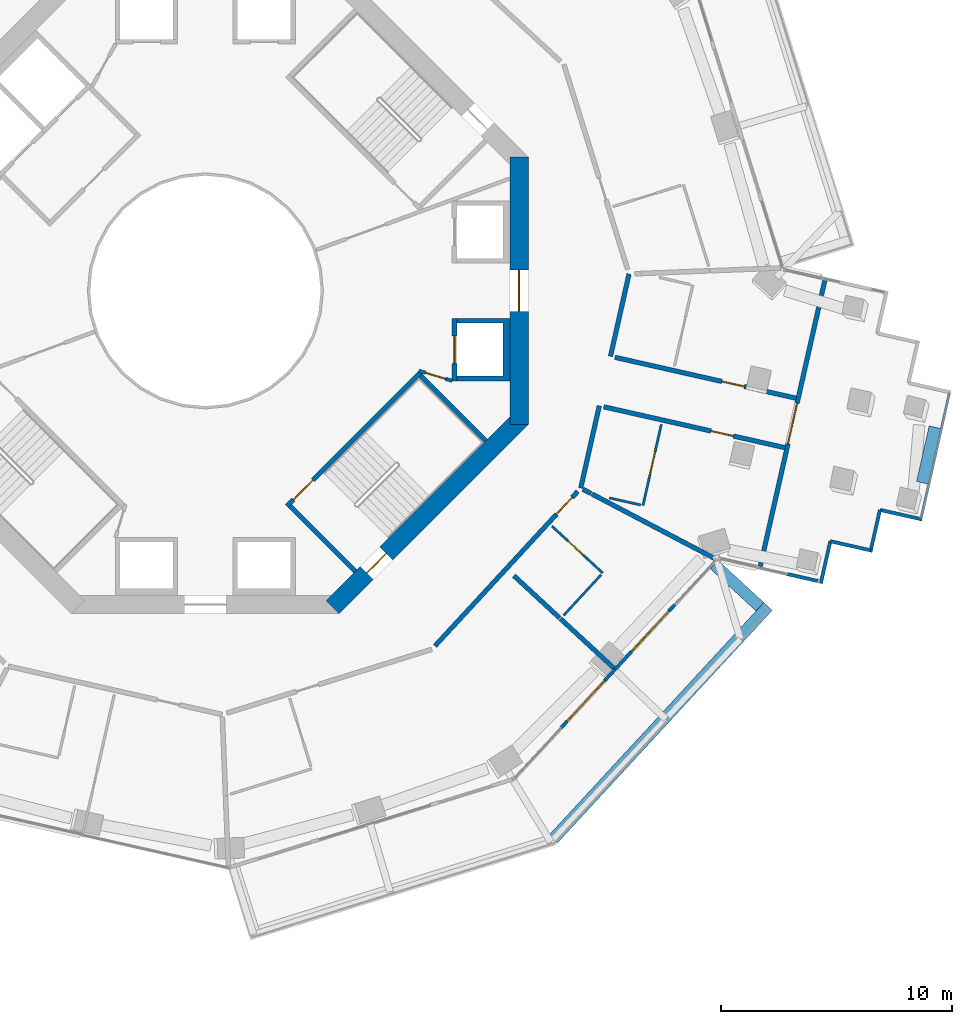
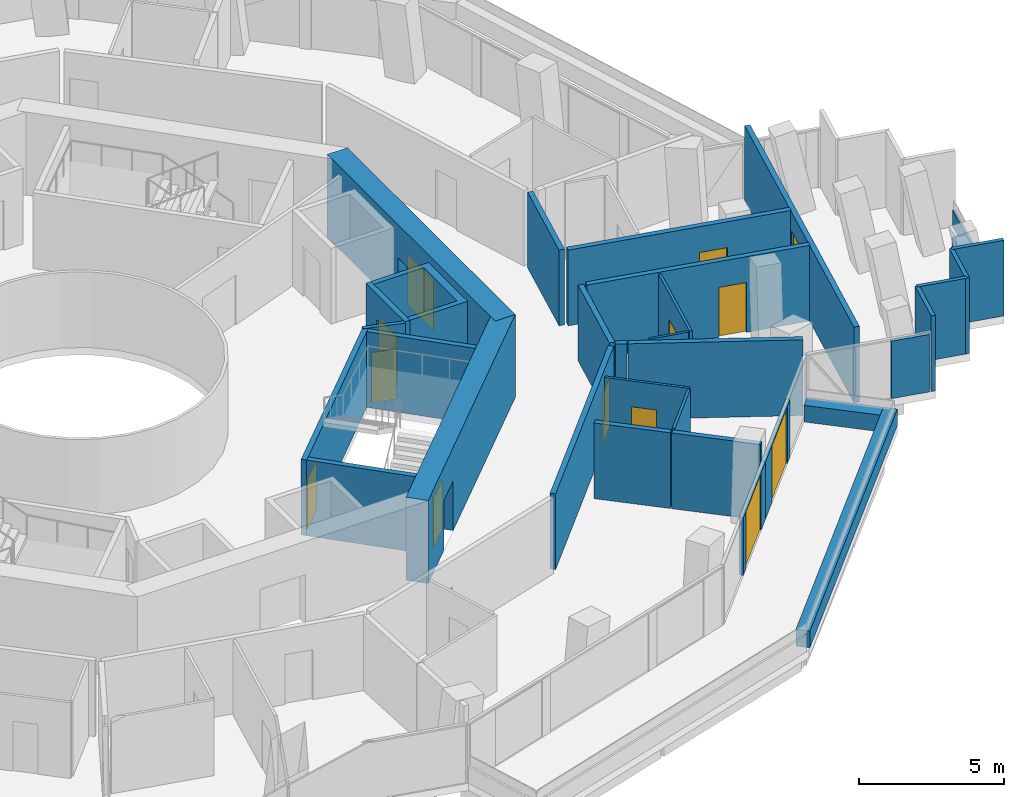
# One storey, part 19 of 25: 33 walls, 13 doors, 13 openings.
"""IFC4 building model written with IfcOpenShell, lengths in metres."""

import ifcopenshell
import ifcopenshell.guid

model = None  # the IFC model being written
_history = None  # IfcOwnerHistory: only IFC2X3 demands one
_inside = {}  # id of a spatial element -> (the spatial element, [elements in it])
_under = {}  # id of a project, library or spatial element -> (it, [spatial elements below it])
_declared = {}  # id of a project -> (the project, [libraries it declares])
_typed = {}  # id of a type object -> (the type object, [elements of that type])
_made_of = {}  # id of a material, layer set ... -> (it, [elements and type objects made of it])


def new_model(schema):
    """Start an empty IFC model of exactly this schema.

    Asked for "IFC4X3", IfcOpenShell would pick the latest addendum, in which some entities
    have other attributes; the version numbers below select the first issue.
    IFC2X3 requires an IfcOwnerHistory on every rooted entity: one is made here for all.
    """
    global model, _history
    if schema == "IFC4X3":
        model = ifcopenshell.file(schema_version=(4, 3, 0, 0))
    else:
        model = ifcopenshell.file(schema=schema)
    _inside.clear()
    _under.clear()
    _declared.clear()
    _typed.clear()
    _made_of.clear()
    _history = None
    if model.schema == "IFC2X3":
        org = make("IfcOrganization", Name="unknown")
        user = make(
            "IfcPersonAndOrganization",
            ThePerson=make("IfcPerson", FamilyName="unknown"),
            TheOrganization=org,
        )
        app = make(
            "IfcApplication",
            ApplicationDeveloper=org,
            Version="unknown",
            ApplicationFullName="unknown",
            ApplicationIdentifier="unknown",
        )
        _history = make(
            "IfcOwnerHistory",
            OwningUser=user,
            OwningApplication=app,
            ChangeAction="ADDED",
            CreationDate=0,
        )
    return model


def make(cls, **values):
    """One entity of the class cls with the attributes given. An attribute that is None is left unset."""
    return model.create_entity(
        cls, **{name: value for name, value in values.items() if value is not None}
    )


def rooted(cls, **values):
    """An entity with a GlobalId (a new one), such as an element, a storey or a relation."""
    return make(cls, GlobalId=ifcopenshell.guid.new(), OwnerHistory=_history, **values)


def si_unit(unit_type, name, prefix=None):
    """IfcSIUnit, for example si_unit("LENGTHUNIT", "METRE", prefix="MILLI")."""
    return make("IfcSIUnit", UnitType=unit_type, Prefix=prefix, Name=name)


def assignment(units):
    """IfcUnitAssignment: the units of a project."""
    return None if units is None else make("IfcUnitAssignment", Units=units)


def point(xyz):
    """IfcCartesianPoint."""
    return None if xyz is None else make("IfcCartesianPoint", Coordinates=xyz)


def direction(xyz):
    """IfcDirection."""
    return None if xyz is None else make("IfcDirection", DirectionRatios=xyz)


def frame(location, z_axis=None, x_axis=None):
    """IfcAxis2Placement3D, a coordinate frame: its origin and axes. An axis left out is left unset."""
    return make(
        "IfcAxis2Placement3D",
        Location=point(location),
        Axis=direction(z_axis),
        RefDirection=direction(x_axis),
    )


def frame_2d(location, x_axis=None):
    """IfcAxis2Placement2D, a coordinate frame in the plane: its origin and x axis."""
    return make(
        "IfcAxis2Placement2D", Location=point(location), RefDirection=direction(x_axis)
    )


def origin():
    """The frame at (0, 0, 0) with its axes left unset."""
    return frame((0.0, 0.0, 0.0))


def place(relative_to, where):
    """IfcLocalPlacement: puts the frame where relative to a parent placement (None: the world)."""
    return make(
        "IfcLocalPlacement", PlacementRelTo=relative_to, RelativePlacement=where
    )


def context(
    kind, dimensions, precision=None, world=None, true_north=None, identifier=None
):
    """IfcGeometricRepresentationContext, for example the 3D "Model" context."""
    return make(
        "IfcGeometricRepresentationContext",
        ContextIdentifier=identifier,
        ContextType=kind,
        CoordinateSpaceDimension=dimensions,
        Precision=precision,
        WorldCoordinateSystem=world,
        TrueNorth=true_north,
    )


def subcontext(parent, identifier, kind, view, scale=None):
    """IfcGeometricRepresentationSubContext, for example "Body" below "Model"."""
    return make(
        "IfcGeometricRepresentationSubContext",
        ContextIdentifier=identifier,
        ContextType=kind,
        ParentContext=parent,
        TargetScale=scale,
        TargetView=view,
    )


def project(units=None, contexts=None):
    """IfcProject with its units and contexts."""
    return rooted(
        "IfcProject",
        Name="project",
        RepresentationContexts=contexts,
        UnitsInContext=assignment(units),
    )


def spatial(cls, under=None, at=None, **own):
    """A site, building, storey or space (cls), placed at a placement, below another one or the project."""
    s = rooted(cls, ObjectPlacement=at, **own)
    if under is not None:
        _under.setdefault(under.id(), (under, []))[1].append(s)
    return s


def polyline(points):
    """IfcPolyline through the points."""
    return make("IfcPolyline", Points=[point(p) for p in points])


def profile(cls, at=None, kind="AREA", **sizes):
    """A parametric profile (cls). Its sizes go by their IFC names, for example OverallWidth=200.0."""
    return make(cls, ProfileType=kind, Position=at, **sizes)


def rectangle(**sizes):
    """IfcRectangleProfileDef."""
    return profile("IfcRectangleProfileDef", **sizes)


def outline(outer, holes=None, kind="AREA"):
    """IfcArbitraryClosedProfileDef: a profile drawn as a closed curve; with holes, ...WithVoids."""
    if holes is None:
        return make("IfcArbitraryClosedProfileDef", ProfileType=kind, OuterCurve=outer)
    return make(
        "IfcArbitraryProfileDefWithVoids",
        ProfileType=kind,
        OuterCurve=outer,
        InnerCurves=holes,
    )


def extrude(swept, where, along, depth):
    """IfcExtrudedAreaSolid: the profile swept, set in the frame where, extruded along a direction by depth."""
    return make(
        "IfcExtrudedAreaSolid",
        SweptArea=swept,
        Position=where,
        ExtrudedDirection=direction(along),
        Depth=depth,
    )


def shape(context_of_items, identifier, shape_type, items):
    """IfcShapeRepresentation: the items that make up one representation, for example the "Body"."""
    return make(
        "IfcShapeRepresentation",
        ContextOfItems=context_of_items,
        RepresentationIdentifier=identifier,
        RepresentationType=shape_type,
        Items=items,
    )


def material(Name=None, Category=None):
    """IfcMaterial."""
    return make("IfcMaterial", Name=Name, Category=Category)


def layer(
    of_material, thickness, ventilated=None, Name=None, Category=None, Priority=None
):
    """IfcMaterialLayer: one layer of a wall or slab, of a material (None: an air gap)."""
    return make(
        "IfcMaterialLayer",
        Material=of_material,
        LayerThickness=thickness,
        IsVentilated=ventilated,
        Name=Name,
        Category=Category,
        Priority=Priority,
    )


def layer_set(layers, Name=None):
    """IfcMaterialLayerSet."""
    return make("IfcMaterialLayerSet", MaterialLayers=layers, LayerSetName=Name)


def made_of(thing, what):
    """Note that an element or type object is made of a material, layer set ...; save() writes the relation."""
    if what is not None:
        _made_of.setdefault(what.id(), (what, []))[1].append(thing)
    return thing


def type_object(cls, material=None, **own):
    """A type object (cls), such as IfcWallType, which elements share."""
    return made_of(rooted(cls, **own), material)


def element(
    cls,
    number,
    at=None,
    inside=None,
    cuts=None,
    type_object=None,
    material=None,
    context=None,
    identifier="Body",
    shape_type=None,
    held_by="IfcProductDefinitionShape",
    body=None,
    shapes=None,
    **own,
):
    """One element of the class cls, such as IfcWall. Its Tag is "e" and its number.

    at: its placement. inside: the storey or other place that contains it. cuts: it is an
    opening in that element (IfcRelVoidsElement). A single representation is given by context,
    identifier, shape_type and body (its items); several are given by shapes. held_by: the class
    of the entity that holds the representations. save() writes the other relations.
    """
    e = rooted(cls, Tag="e%d" % number, ObjectPlacement=at, **own)
    if body is not None:
        shapes = [shape(context, identifier, shape_type, body)]
    if shapes is not None:
        e.Representation = make(held_by, Representations=shapes)
    if inside is not None:
        _inside.setdefault(inside.id(), (inside, []))[1].append(e)
    if cuts is not None:
        rooted(
            "IfcRelVoidsElement", RelatingBuildingElement=cuts, RelatedOpeningElement=e
        )
    if type_object is not None:
        _typed.setdefault(type_object.id(), (type_object, []))[1].append(e)
    return made_of(e, material)


def fill(opening, filler):
    """IfcRelFillsElement: the door or window that sits in an opening."""
    return rooted(
        "IfcRelFillsElement",
        RelatingOpeningElement=opening,
        RelatedBuildingElement=filler,
    )


def aggregate(whole, parts):
    """IfcRelAggregates: a whole, such as a stair, and the parts it consists of."""
    return rooted("IfcRelAggregates", RelatingObject=whole, RelatedObjects=parts)


def save(model, path):
    """Write the relations noted so far, then the file.

    IfcRelAggregates (storeys below a building ...), IfcRelContainedInSpatialStructure (elements
    in a storey), IfcRelDefinesByType, IfcRelAssociatesMaterial and IfcRelDeclares: one each for
    every whole, place, type object, material and project.
    """
    for whole, parts in _under.values():
        aggregate(whole, parts)
    for where, things in _inside.values():
        rooted(
            "IfcRelContainedInSpatialStructure",
            RelatedElements=things,
            RelatingStructure=where,
        )
    for kind, things in _typed.values():
        rooted("IfcRelDefinesByType", RelatedObjects=things, RelatingType=kind)
    for what, things in _made_of.values():
        rooted("IfcRelAssociatesMaterial", RelatedObjects=things, RelatingMaterial=what)
    for by, libraries in _declared.values():
        rooted("IfcRelDeclares", RelatingContext=by, RelatedDefinitions=libraries)
    model.write(path)


model = new_model("IFC4")

# Units and contexts
model_context = context("Model", 3, precision=1e-05, world=origin(), true_north=direction((0.0, 1.0)))
body_context = subcontext(model_context, "Body", "Model", "MODEL_VIEW")
ifc_project = project(units=[si_unit("LENGTHUNIT", "METRE"), si_unit("AREAUNIT", "SQUARE_METRE"), si_unit("VOLUMEUNIT", "CUBIC_METRE"), si_unit("PLANEANGLEUNIT", "RADIAN"), si_unit("MASSUNIT", "GRAM", prefix="KILO")], contexts=[model_context])

# Site, building, storey
site_placement = place(None, origin())
site = spatial("IfcSite", under=ifc_project, at=site_placement, CompositionType="ELEMENT")
building_placement = place(site_placement, origin())
building = spatial("IfcBuilding", under=site, at=building_placement, Name="Verdalira Terraces Hotel", CompositionType="ELEMENT")
storey_placement = place(building_placement, frame((0.0, 0.0, 103.5)))
storey = spatial("IfcBuildingStorey", under=building, at=storey_placement, Name="L24", CompositionType="ELEMENT", Elevation=103.5)

# Walls
ifc_material_1 = material(Name="Concrete C40", Category="concrete")
ifc_layer_1 = layer(ifc_material_1, 0.5)
ifc_layer_set_1 = layer_set([ifc_layer_1], Name="Balcony planter trough with tree")
wall_type_1 = type_object("IfcWallType", Name="Balcony planter trough with tree", PredefinedType="SOLIDWALL", material=ifc_layer_set_1)
wall_1_placement = place(storey_placement, frame((15.088867, -23.765381, 0.0), z_axis=(0.0, 0.0, 1.0), x_axis=(0.678421217, 0.734673161, 0.0)))
element("IfcWall", 1, at=wall_1_placement, inside=storey, type_object=wall_type_1, Name="Balcony planter", PredefinedType="SOLIDWALL", context=body_context, shape_type="SweptSolid", body=[
    extrude(rectangle(XDim=13.723389, YDim=0.5, at=frame_2d((6.861816, 0.0))), origin(), (0.0, 0.0, 1.0), 0.699951),
])
wall_2_placement = place(storey_placement, frame((24.045898, -13.697266, 0.0), z_axis=(0.0, 0.0, 1.0), x_axis=(-0.734678586, 0.678415341, 0.0)))
element("IfcWall", 2, at=wall_2_placement, inside=storey, type_object=wall_type_1, Name="Balcony planter", PredefinedType="SOLIDWALL", context=body_context, shape_type="SweptSolid", body=[
    extrude(rectangle(XDim=2.698975, YDim=0.5, at=frame_2d((1.349609, 0.0))), origin(), (0.0, 0.0, 1.0), 0.699951),
])

# Wall, opening, door
ifc_material_2 = material(Name="Moisture-resistant gypsum board partition")
ifc_layer_2 = layer(ifc_material_2, 0.10009765625)
ifc_layer_set_2 = layer_set([ifc_layer_2], Name="Bathroom partition 100 mm")
wall_type_2 = type_object("IfcWallType", Name="Bathroom partition 100 mm", PredefinedType="PARTITIONING", material=ifc_layer_set_2)
wall_3_placement = place(storey_placement, frame((17.229248, -12.234863, 0.0), z_axis=(0.0, 0.0, 1.0), x_axis=(-0.73466614, 0.678428819, 0.0)))
wall_3 = element("IfcWall", 3, at=wall_3_placement, inside=storey, type_object=wall_type_2, Name="Bathroom partition", PredefinedType="PARTITIONING", context=body_context, shape_type="SweptSolid", body=[
    extrude(rectangle(XDim=2.999756, YDim=0.100098, at=frame_2d((1.5, 0.0))), origin(), (0.0, 0.0, 1.0), 3.189941),
])
opening_1_placement = place(wall_3_placement, frame((1.149902, 0.0, 0.0)))
opening_1 = element("IfcOpeningElement", 4, at=opening_1_placement, cuts=wall_3, Name="Opening L24-127", PredefinedType="OPENING", context=body_context, shape_type="SweptSolid", body=[
    extrude(rectangle(XDim=0.899902, YDim=2.100098, at=frame_2d((0.449951, 1.050049))), frame((0.0, 0.060059, 0.0), z_axis=(0.0, -1.0, 0.0), x_axis=(1.0, 0.0, 0.0)), (0.0, 0.0, 1.0), 0.120117),
])
ifc_material_3 = material(Name="Timber door", Category="wood")
door_type_1 = type_object("IfcDoorType", Name="Bathroom door 900 x 2100", OperationType="NOTDEFINED", PredefinedType="DOOR", material=ifc_material_3)
door_1_placement = place(opening_1_placement, origin())
door_1 = element("IfcDoor", 5, at=door_1_placement, inside=storey, type_object=door_type_1, Name="Bathroom door 2410", OperationType="SINGLE_SWING_LEFT", OverallHeight=2.10009765625, OverallWidth=0.89990234375, PredefinedType="DOOR", context=body_context, shape_type="SweptSolid", body=[
    extrude(rectangle(XDim=0.899902, YDim=2.100098, at=frame_2d((0.449951, 1.050049))), frame((0.0, 0.024902, 0.0), z_axis=(0.0, -1.0, 0.0), x_axis=(1.0, 0.0, 0.0)), (0.0, 0.0, 1.0), 0.050049),
])
fill(opening_1, door_1)

# Walls
wall_4_placement = place(storey_placement, frame((17.161621, -12.30835, 0.0), z_axis=(0.0, 0.0, 1.0), x_axis=(-0.67847442, -0.734624027, 0.0)))
element("IfcWall", 6, at=wall_4_placement, inside=storey, type_object=wall_type_2, Name="Bathroom partition", PredefinedType="PARTITIONING", context=body_context, shape_type="SweptSolid", body=[
    extrude(rectangle(XDim=2.400146, YDim=0.100098, at=frame_2d((1.200195, 0.0))), origin(), (0.0, 0.0, 1.0), 3.189941),
])
wall_5_placement = place(storey_placement, frame((18.877197, -9.284424, 0.0), z_axis=(0.0, 0.0, 1.0), x_axis=(-0.975462778, 0.220164411, 0.0)))
element("IfcWall", 7, at=wall_5_placement, inside=storey, type_object=wall_type_2, Name="Bathroom partition", PredefinedType="PARTITIONING", context=body_context, shape_type="SweptSolid", body=[
    extrude(rectangle(XDim=1.398438, YDim=0.100098, at=frame_2d((0.699219, 0.0))), origin(), (0.0, 0.0, 1.0), 3.189941),
])

# Wall, opening, door
wall_6_placement = place(storey_placement, frame((18.974854, -9.306396, 0.0), z_axis=(0.0, 0.0, 1.0), x_axis=(0.220210913, 0.975452282, 0.0)))
wall_6 = element("IfcWall", 8, at=wall_6_placement, inside=storey, type_object=wall_type_2, Name="Bathroom partition", PredefinedType="PARTITIONING", context=body_context, shape_type="SweptSolid", body=[
    extrude(rectangle(XDim=3.599854, YDim=0.100098, at=frame_2d((1.799805, 0.0))), origin(), (0.0, 0.0, 1.0), 3.189941),
])
opening_2_placement = place(wall_6_placement, frame((1.399902, 0.0, 0.0)))
opening_2 = element("IfcOpeningElement", 9, at=opening_2_placement, cuts=wall_6, Name="Opening L24-129", PredefinedType="OPENING", context=body_context, shape_type="SweptSolid", body=[
    extrude(rectangle(XDim=1.0, YDim=2.100098, at=frame_2d((0.5, 1.050049))), frame((0.0, 0.060059, 0.0), z_axis=(0.0, -1.0, 0.0), x_axis=(1.0, 0.0, 0.0)), (0.0, 0.0, 1.0), 0.120117),
])
ifc_material_4 = material(Name="Timber door", Category="wood")
door_type_2 = type_object("IfcDoorType", Name="Bathroom door 1000 x 2100", OperationType="NOTDEFINED", PredefinedType="DOOR", material=ifc_material_4)
door_2_placement = place(opening_2_placement, origin())
door_2 = element("IfcDoor", 10, at=door_2_placement, inside=storey, type_object=door_type_2, Name="Bathroom door 2411", OperationType="SINGLE_SWING_LEFT", OverallHeight=2.10009765625, OverallWidth=1.0, PredefinedType="DOOR", context=body_context, shape_type="SweptSolid", body=[
    extrude(rectangle(XDim=1.0, YDim=2.100098, at=frame_2d((0.5, 1.050049))), frame((0.0, 0.024902, 0.0), z_axis=(0.0, -1.0, 0.0), x_axis=(1.0, 0.0, 0.0)), (0.0, 0.0, 1.0), 0.050049),
])
fill(opening_2, door_2)

# Wall
ifc_material_5 = material(Name="Concrete C50", Category="concrete")
ifc_layer_3 = layer(ifc_material_5, 0.199951171875)
ifc_layer_set_3 = layer_set([ifc_layer_3], Name="Core RC wall 200 C50")
wall_type_3 = type_object("IfcWallType", Name="Core RC wall 200 C50", PredefinedType="SOLIDWALL", material=ifc_layer_set_3)
wall_7_placement = place(storey_placement, origin())
element("IfcWall", 11, at=wall_7_placement, inside=storey, type_object=wall_type_3, Name="L24 shaft wall E1", PredefinedType="SOLIDWALL", context=body_context, shape_type="SweptSolid", body=[
    extrude(outline(polyline([(13.199951, -3.899902), (10.899902, -3.899902), (10.899902, -3.699951), (12.899902, -3.699951), (12.899902, -1.399902), (10.899902, -1.399902), (10.899902, -1.199951), (13.199951, -1.199951), (13.199951, -3.899902)])), origin(), (0.0, 0.0, 1.0), 3.189941),
])

# Wall, opening, door
wall_8_placement = place(storey_placement, frame((10.800049, -1.199951, 0.0), z_axis=(0.0, 0.0, 1.0), x_axis=(0.0, -1.0, 0.0)))
wall_8 = element("IfcWall", 12, at=wall_8_placement, inside=storey, type_object=wall_type_3, Name="L24 shaft front wall E1", PredefinedType="SOLIDWALL", context=body_context, shape_type="SweptSolid", body=[
    extrude(rectangle(XDim=2.699951, YDim=0.199951, at=frame_2d((1.350098, 0.0))), origin(), (0.0, 0.0, 1.0), 3.189941),
])
opening_3_placement = place(wall_8_placement, frame((0.75, 0.0, 0.0)))
opening_3 = element("IfcOpeningElement", 13, at=opening_3_placement, cuts=wall_8, Name="Opening LD-L24-801", PredefinedType="OPENING", context=body_context, shape_type="SweptSolid", body=[
    extrude(rectangle(XDim=1.199951, YDim=2.100098, at=frame_2d((0.600098, 1.050049))), frame((0.0, 0.109863, 0.0), z_axis=(0.0, -1.0, 0.0), x_axis=(1.0, 0.0, 0.0)), (0.0, 0.0, 1.0), 0.219971),
])
ifc_material_6 = material(Name="Stainless steel", Category="steel")
door_type_3 = type_object("IfcDoorType", Name="Landing door 1200 x 2100", OperationType="NOTDEFINED", PredefinedType="DOOR", material=ifc_material_6)
door_3_placement = place(opening_3_placement, origin())
door_3 = element("IfcDoor", 14, at=door_3_placement, inside=storey, type_object=door_type_3, Name="Lift landing door LR1 L24", OperationType="DOUBLE_DOOR_SLIDING", OverallHeight=2.10009765625, OverallWidth=1.199951171875, PredefinedType="DOOR", context=body_context, shape_type="SweptSolid", body=[
    extrude(rectangle(XDim=1.199951, YDim=2.100098, at=frame_2d((0.600098, 1.050049))), frame((0.0, 0.024902, 0.0), z_axis=(0.0, -1.0, 0.0), x_axis=(1.0, 0.0, 0.0)), (0.0, 0.0, 1.0), 0.050049),
])
fill(opening_3, door_3)

wall_9_placement = place(storey_placement, frame((9.33374, -3.5354, 0.0), z_axis=(0.0, 0.0, 1.0), x_axis=(-0.707106781, -0.707106781, 0.0)))
wall_9 = element("IfcWall", 15, at=wall_9_placement, inside=storey, type_object=wall_type_3, Name="L24 stair ST3 front wall", PredefinedType="SOLIDWALL", context=body_context, shape_type="SweptSolid", body=[
    extrude(rectangle(XDim=8.200195, YDim=0.199951, at=frame_2d((4.100098, 0.0))), origin(), (0.0, 0.0, 1.0), 3.189941),
])
opening_4_placement = place(wall_9_placement, frame((6.600098, 0.0, 0.0)))
opening_4 = element("IfcOpeningElement", 16, at=opening_4_placement, cuts=wall_9, Name="Opening L24-811", PredefinedType="OPENING", context=body_context, shape_type="SweptSolid", body=[
    extrude(rectangle(XDim=1.199951, YDim=2.100098, at=frame_2d((0.600098, 1.050049))), frame((0.0, 0.109863, 0.0), z_axis=(0.0, -1.0, 0.0), x_axis=(1.0, 0.0, 0.0)), (0.0, 0.0, 1.0), 0.219971),
])
ifc_material_7 = material(Name="Steel fire door", Category="steel")
door_type_4 = type_object("IfcDoorType", Name="Stair door 1200 x 2100", OperationType="NOTDEFINED", PredefinedType="DOOR", material=ifc_material_7)
door_4_placement = place(opening_4_placement, origin())
door_4 = element("IfcDoor", 17, at=door_4_placement, inside=storey, type_object=door_type_4, Name="Stair door ST3 L24", OperationType="SINGLE_SWING_RIGHT", OverallHeight=2.10009765625, OverallWidth=1.199951171875, PredefinedType="DOOR", context=body_context, shape_type="SweptSolid", body=[
    extrude(rectangle(XDim=1.199951, YDim=2.100098, at=frame_2d((0.600098, 1.050049))), frame((0.0, 0.024902, 0.0), z_axis=(0.0, -1.0, 0.0), x_axis=(1.0, 0.0, 0.0)), (0.0, 0.0, 1.0), 0.050049),
])
fill(opening_4, door_4)

# Walls
for number, where, z_axis, x_axis, name in (
    (18, (3.677002, -9.33374, 0.0), (0.0, 0.0, 1.0), (0.707106781, -0.707106781, 0.0), "L24 stair ST3 end wall 1"),
    (19, (9.33374, -3.677002, 0.0), (0.0, 0.0, 1.0), (0.707106781, -0.707106781, 0.0), "L24 stair ST3 end wall 2"),
):
    element("IfcWall", number, at=place(storey_placement, frame(where, z_axis=z_axis, x_axis=x_axis)), inside=storey, type_object=wall_type_3, Name=name, PredefinedType="SOLIDWALL", context=body_context, shape_type="SweptSolid", body=[
        extrude(rectangle(XDim=4.0, YDim=0.199951, at=frame_2d((2.0, 0.0))), origin(), (0.0, 0.0, 1.0), 3.189941),
    ])

# Wall, opening, door
ifc_material_8 = material(Name="Gypsum board partition")
ifc_layer_4 = layer(ifc_material_8, 0.14990234375)
ifc_layer_set_4 = layer_set([ifc_layer_4], Name="Core partition 150 mm")
wall_type_4 = type_object("IfcWallType", Name="Core partition 150 mm", PredefinedType="PARTITIONING", material=ifc_layer_set_4)
wall_10_placement = place(storey_placement, frame((9.263184, -3.464844, 0.0), z_axis=(0.0, 0.0, 1.0), x_axis=(0.957084567, -0.289808785, 0.0)))
wall_10 = element("IfcWall", 20, at=wall_10_placement, inside=storey, type_object=wall_type_4, Name="Room partition L24", PredefinedType="PARTITIONING", context=body_context, shape_type="SweptSolid", body=[
    extrude(rectangle(XDim=1.501221, YDim=0.149902, at=frame_2d((0.750488, 0.0))), origin(), (0.0, 0.0, 1.0), 3.189941),
])
opening_5_placement = place(wall_10_placement, frame((0.300781, 0.0, 0.0)))
opening_5 = element("IfcOpeningElement", 21, at=opening_5_placement, cuts=wall_10, Name="Opening L24-823", PredefinedType="OPENING", context=body_context, shape_type="SweptSolid", body=[
    extrude(rectangle(XDim=0.899902, YDim=2.100098, at=frame_2d((0.449951, 1.050049))), frame((0.0, 0.084961, 0.0), z_axis=(0.0, -1.0, 0.0), x_axis=(1.0, 0.0, 0.0)), (0.0, 0.0, 1.0), 0.169922),
])
ifc_material_9 = material(Name="Steel fire door", Category="steel")
door_type_5 = type_object("IfcDoorType", Name="Core room door 900 x 2100", OperationType="NOTDEFINED", PredefinedType="DOOR", material=ifc_material_9)
door_5_placement = place(opening_5_placement, origin())
door_5 = element("IfcDoor", 22, at=door_5_placement, inside=storey, type_object=door_type_5, Name="Door L24 room7", OperationType="SINGLE_SWING_LEFT", OverallHeight=2.10009765625, OverallWidth=0.89990234375, PredefinedType="DOOR", context=body_context, shape_type="SweptSolid", body=[
    extrude(rectangle(XDim=0.899902, YDim=2.100098, at=frame_2d((0.449951, 1.050049))), frame((0.0, 0.024902, 0.0), z_axis=(0.0, -1.0, 0.0), x_axis=(1.0, 0.0, 0.0)), (0.0, 0.0, 1.0), 0.050049),
])
fill(opening_5, door_5)

ifc_material_10 = material(Name="Concrete C70", Category="concrete")
ifc_layer_5 = layer(ifc_material_10, 0.800048828125)
ifc_layer_set_5 = layer_set([ifc_layer_5], Name="Core wall 800 C70")
wall_type_5 = type_object("IfcWallType", Name="Core wall 800 C70", PredefinedType="SHEAR", material=ifc_layer_set_5)
wall_11_placement = place(storey_placement, frame((13.600098, -5.799072, 0.0), z_axis=(0.0, 0.0, 1.0), x_axis=(0.0, 1.0, 0.0)))
wall_11 = element("IfcWall", 23, at=wall_11_placement, inside=storey, type_object=wall_type_5, Name="Core wall CW-L24-1", PredefinedType="SHEAR", context=body_context, shape_type="SweptSolid", body=[
    extrude(rectangle(XDim=11.598145, YDim=0.800049, at=frame_2d((5.799072, 0.0))), origin(), (0.0, 0.0, 1.0), 3.5),
])
opening_6_placement = place(wall_11_placement, frame((4.898926, 0.0, 0.0)))
opening_6 = element("IfcOpeningElement", 24, at=opening_6_placement, cuts=wall_11, Name="Opening L24-812", PredefinedType="OPENING", context=body_context, shape_type="SweptSolid", body=[
    extrude(rectangle(XDim=1.800049, YDim=2.100098, at=frame_2d((0.899902, 1.050049))), frame((0.0, 0.409912, 0.0), z_axis=(0.0, -1.0, 0.0), x_axis=(1.0, 0.0, 0.0)), (0.0, 0.0, 1.0), 0.820068),
])
ifc_material_11 = material(Name="Steel fire door", Category="steel")
door_type_6 = type_object("IfcDoorType", Name="Core entry door pair 1800 x 2100", OperationType="NOTDEFINED", PredefinedType="DOOR", material=ifc_material_11)
door_6_placement = place(opening_6_placement, origin())
door_6 = element("IfcDoor", 25, at=door_6_placement, inside=storey, type_object=door_type_6, Name="Core entry door L24 0", OperationType="DOUBLE_DOOR_SINGLE_SWING", OverallHeight=2.10009765625, OverallWidth=1.800048828125, PredefinedType="DOOR", context=body_context, shape_type="SweptSolid", body=[
    extrude(rectangle(XDim=1.800049, YDim=2.100098, at=frame_2d((0.899902, 1.050049))), frame((0.0, 0.024902, 0.0), z_axis=(0.0, -1.0, 0.0), x_axis=(1.0, 0.0, 0.0)), (0.0, 0.0, 1.0), 0.050049),
])
fill(opening_6, door_6)

wall_12_placement = place(storey_placement, frame((5.516113, -13.717285, 0.0), z_axis=(0.0, 0.0, 1.0), x_axis=(0.707106781, 0.707106781, 0.0)))
wall_12 = element("IfcWall", 26, at=wall_12_placement, inside=storey, type_object=wall_type_5, Name="Core wall CW-L24-8", PredefinedType="SHEAR", context=body_context, shape_type="SweptSolid", body=[
    extrude(rectangle(XDim=11.598145, YDim=0.800049, at=frame_2d((5.799072, 0.0))), origin(), (0.0, 0.0, 1.0), 3.5),
])
opening_7_placement = place(wall_12_placement, frame((2.099121, 0.0, 0.0)))
opening_7 = element("IfcOpeningElement", 27, at=opening_7_placement, cuts=wall_12, Name="Opening L24-818", PredefinedType="OPENING", context=body_context, shape_type="SweptSolid", body=[
    extrude(rectangle(XDim=1.199951, YDim=2.100098, at=frame_2d((0.600098, 1.050049))), frame((0.0, 0.409912, 0.0), z_axis=(0.0, -1.0, 0.0), x_axis=(1.0, 0.0, 0.0)), (0.0, 0.0, 1.0), 0.820068),
])
door_7_placement = place(opening_7_placement, origin())
door_7 = element("IfcDoor", 28, at=door_7_placement, inside=storey, type_object=door_type_4, Name="Stair exit door ST3 L24", OperationType="SINGLE_SWING_LEFT", OverallHeight=2.10009765625, OverallWidth=1.199951171875, PredefinedType="DOOR", context=body_context, shape_type="SweptSolid", body=[
    extrude(rectangle(XDim=1.199951, YDim=2.100098, at=frame_2d((0.600098, 1.050049))), frame((0.0, 0.024902, 0.0), z_axis=(0.0, -1.0, 0.0), x_axis=(1.0, 0.0, 0.0)), (0.0, 0.0, 1.0), 0.050049),
])
fill(opening_7, door_7)

# Walls
ifc_material_12 = material(Name="Fire-rated gypsum board wall")
ifc_layer_6 = layer(ifc_material_12, 0.199951171875)
ifc_layer_set_6 = layer_set([ifc_layer_6], Name="Demising wall 200 mm")
wall_type_6 = type_object("IfcWallType", Name="Demising wall 200 mm", PredefinedType="SOLIDWALL", material=ifc_layer_set_6)
wall_13_placement = place(storey_placement, frame((13.375244, -12.351074, 0.0), z_axis=(0.0, 0.0, 1.0), x_axis=(0.734709995, -0.678381326, 0.0)))
element("IfcWall", 29, at=wall_13_placement, inside=storey, type_object=wall_type_6, Name="Demising wall", PredefinedType="SOLIDWALL", context=body_context, shape_type="SweptSolid", body=[
    extrude(rectangle(XDim=2.70459, YDim=0.199951, at=frame_2d((1.352295, 0.0))), origin(), (0.0, 0.0, 1.0), 3.189941),
])
wall_14_placement = place(storey_placement, frame((16.366455, -8.599854, 0.0), z_axis=(0.0, 0.0, 1.0), x_axis=(0.885247719, -0.465119852, 0.0)))
element("IfcWall", 30, at=wall_14_placement, inside=storey, type_object=wall_type_6, Name="Demising wall", PredefinedType="SOLIDWALL", context=body_context, shape_type="SweptSolid", body=[
    extrude(rectangle(XDim=0.401611, YDim=0.199951, at=frame_2d((0.200684, 0.0))), origin(), (0.0, 0.0, 1.0), 3.189941),
])
wall_15_placement = place(storey_placement, frame((15.39624, -14.217041, 0.0), z_axis=(0.0, 0.0, 1.0), x_axis=(0.734663861, -0.678431287, 0.0)))
element("IfcWall", 31, at=wall_15_placement, inside=storey, type_object=wall_type_6, Name="Demising wall", PredefinedType="SOLIDWALL", context=body_context, shape_type="SweptSolid", body=[
    extrude(rectangle(XDim=3.1521, YDim=0.199951, at=frame_2d((1.576172, 0.0))), origin(), (0.0, 0.0, 1.0), 3.189941),
])
wall_16_placement = place(storey_placement, frame((16.757568, -8.80542, 0.0), z_axis=(0.0, 0.0, 1.0), x_axis=(0.88523924, -0.465135989, 0.0)))
element("IfcWall", 32, at=wall_16_placement, inside=storey, type_object=wall_type_6, Name="Demising wall", PredefinedType="SOLIDWALL", context=body_context, shape_type="SweptSolid", body=[
    extrude(rectangle(XDim=6.033936, YDim=0.199951, at=frame_2d((3.01709, 0.0))), origin(), (0.0, 0.0, 1.0), 3.189941),
])

# Wall, opening, door
ifc_material_13 = material(Name="Fire-rated gypsum board wall")
ifc_layer_7 = layer(ifc_material_13, 0.199951171875)
ifc_layer_set_7 = layer_set([ifc_layer_7], Name="Guest corridor wall 200 mm")
wall_type_7 = type_object("IfcWallType", Name="Guest corridor wall 200 mm", PredefinedType="SOLIDWALL", material=ifc_layer_set_7)
wall_17_placement = place(storey_placement, frame((16.13916, -8.698486, 0.0), z_axis=(0.0, 0.0, 1.0), x_axis=(-0.678413568, -0.734680223, 0.0)))
wall_17 = element("IfcWall", 33, at=wall_17_placement, inside=storey, type_object=wall_type_7, Name="Guest corridor wall", PredefinedType="SOLIDWALL", context=body_context, shape_type="SweptSolid", body=[
    extrude(rectangle(XDim=9.116211, YDim=0.199951, at=frame_2d((4.558105, 0.0))), origin(), (0.0, 0.0, 1.0), 3.189941),
])
opening_8_placement = place(wall_17_placement, frame((0.350098, 0.0, 0.0)))
opening_8 = element("IfcOpeningElement", 34, at=opening_8_placement, cuts=wall_17, Name="Opening L24-126", PredefinedType="OPENING", context=body_context, shape_type="SweptSolid", body=[
    extrude(rectangle(XDim=1.0, YDim=2.100098, at=frame_2d((0.5, 1.050049))), frame((0.0, 0.109863, 0.0), z_axis=(0.0, -1.0, 0.0), x_axis=(1.0, 0.0, 0.0)), (0.0, 0.0, 1.0), 0.219971),
])
ifc_material_14 = material(Name="Timber fire door", Category="wood")
door_type_7 = type_object("IfcDoorType", Name="Guest entry door 1000 x 2100", OperationType="NOTDEFINED", PredefinedType="DOOR", material=ifc_material_14)
door_8_placement = place(opening_8_placement, origin())
door_8 = element("IfcDoor", 35, at=door_8_placement, inside=storey, type_object=door_type_7, Name="Guest entry door 2410", OperationType="SINGLE_SWING_LEFT", OverallHeight=2.10009765625, OverallWidth=1.0, PredefinedType="DOOR", context=body_context, shape_type="SweptSolid", body=[
    extrude(rectangle(XDim=1.0, YDim=2.100098, at=frame_2d((0.5, 1.050049))), frame((0.0, 0.024902, 0.0), z_axis=(0.0, -1.0, 0.0), x_axis=(1.0, 0.0, 0.0)), (0.0, 0.0, 1.0), 0.050049),
])
fill(opening_8, door_8)

# Walls
for number, where, z_axis, x_axis, name in (
    (36, (16.274902, -8.551758, 0.0), (0.0, 0.0, 1.0), (0.220158455, 0.975464123, 0.0), "Guest corridor wall"),
    (37, (17.564697, -2.837158, 0.0), (0.0, 0.0, 1.0), (0.220158455, 0.975464123, 0.0), "Guest corridor wall"),
):
    element("IfcWall", number, at=place(storey_placement, frame(where, z_axis=z_axis, x_axis=x_axis)), inside=storey, type_object=wall_type_7, Name=name, PredefinedType="SOLIDWALL", context=body_context, shape_type="SweptSolid", body=[
        extrude(rectangle(XDim=3.658447, YDim=0.199951, at=frame_2d((1.829102, 0.0))), origin(), (0.0, 0.0, 1.0), 3.189941),
    ])

# Wall, opening, door
wall_18_placement = place(storey_placement, frame((25.13916, -6.802246, 0.0), z_axis=(0.0, 0.0, 1.0), x_axis=(-0.975455482, 0.220196734, 0.0)))
wall_18 = element("IfcWall", 38, at=wall_18_placement, inside=storey, type_object=wall_type_7, Name="Guest corridor wall", PredefinedType="SOLIDWALL", context=body_context, shape_type="SweptSolid", body=[
    extrude(rectangle(XDim=8.061523, YDim=0.199951, at=frame_2d((4.030762, 0.0))), origin(), (0.0, 0.0, 1.0), 3.189941),
])
opening_9_placement = place(wall_18_placement, frame((2.300049, 0.0, 0.0)))
opening_9 = element("IfcOpeningElement", 39, at=opening_9_placement, cuts=wall_18, Name="Opening L24-128", PredefinedType="OPENING", context=body_context, shape_type="SweptSolid", body=[
    extrude(rectangle(XDim=1.0, YDim=2.100098, at=frame_2d((0.5, 1.050049))), frame((0.0, 0.109863, 0.0), z_axis=(0.0, -1.0, 0.0), x_axis=(1.0, 0.0, 0.0)), (0.0, 0.0, 1.0), 0.219971),
])
door_9_placement = place(opening_9_placement, origin())
door_9 = element("IfcDoor", 40, at=door_9_placement, inside=storey, type_object=door_type_7, Name="Guest entry door 2411", OperationType="SINGLE_SWING_LEFT", OverallHeight=2.10009765625, OverallWidth=1.0, PredefinedType="DOOR", context=body_context, shape_type="SweptSolid", body=[
    extrude(rectangle(XDim=1.0, YDim=2.100098, at=frame_2d((0.5, 1.050049))), frame((0.0, 0.024902, 0.0), z_axis=(0.0, -1.0, 0.0), x_axis=(1.0, 0.0, 0.0)), (0.0, 0.0, 1.0), 0.050049),
])
fill(opening_9, door_9)

wall_19_placement = place(storey_placement, frame((17.759766, -2.881104, 0.0), z_axis=(0.0, 0.0, 1.0), x_axis=(0.975455482, -0.220196734, 0.0)))
wall_19 = element("IfcWall", 41, at=wall_19_placement, inside=storey, type_object=wall_type_7, Name="Guest corridor wall", PredefinedType="SOLIDWALL", context=body_context, shape_type="SweptSolid", body=[
    extrude(rectangle(XDim=8.061523, YDim=0.199951, at=frame_2d((4.030762, 0.0))), origin(), (0.0, 0.0, 1.0), 3.189941),
])
opening_10_placement = place(wall_19_placement, frame((4.75, 0.0, 0.0)))
opening_10 = element("IfcOpeningElement", 42, at=opening_10_placement, cuts=wall_19, Name="Opening L24-130", PredefinedType="OPENING", context=body_context, shape_type="SweptSolid", body=[
    extrude(rectangle(XDim=1.0, YDim=2.100098, at=frame_2d((0.5, 1.050049))), frame((0.0, 0.109863, 0.0), z_axis=(0.0, -1.0, 0.0), x_axis=(1.0, 0.0, 0.0)), (0.0, 0.0, 1.0), 0.219971),
])
door_10_placement = place(opening_10_placement, origin())
door_10 = element("IfcDoor", 43, at=door_10_placement, inside=storey, type_object=door_type_7, Name="Guest entry door 2412", OperationType="SINGLE_SWING_RIGHT", OverallHeight=2.10009765625, OverallWidth=1.0, PredefinedType="DOOR", context=body_context, shape_type="SweptSolid", body=[
    extrude(rectangle(XDim=1.0, YDim=2.100098, at=frame_2d((0.5, 1.050049))), frame((0.0, 0.024902, 0.0), z_axis=(0.0, -1.0, 0.0), x_axis=(1.0, 0.0, 0.0)), (0.0, 0.0, 1.0), 0.050049),
])
fill(opening_10, door_10)

ifc_material_15 = material(Name="Terracotta cladding", Category="masonry")
ifc_layer_8 = layer(ifc_material_15, 0.199951171875)
ifc_layer_set_8 = layer_set([ifc_layer_8], Name="Loggia back wall 200")
wall_type_8 = type_object("IfcWallType", Name="Loggia back wall 200", PredefinedType="SOLIDWALL", material=ifc_layer_set_8)
wall_20_placement = place(storey_placement, frame((26.857666, 0.447266, 0.0), z_axis=(0.0, 0.0, 1.0), x_axis=(-0.220190066, -0.975456988, 0.0)))
wall_20 = element("IfcWall", 44, at=wall_20_placement, inside=storey, type_object=wall_type_8, Name="Loggia back wall", PredefinedType="SOLIDWALL", context=body_context, shape_type="SweptSolid", body=[
    extrude(rectangle(XDim=12.699951, YDim=0.199951, at=frame_2d((6.350098, 0.0))), origin(), (0.0, 0.0, 1.0), 3.189941),
])
opening_11_placement = place(wall_20_placement, frame((5.449951, 0.0, 0.0)))
opening_11 = element("IfcOpeningElement", 45, at=opening_11_placement, cuts=wall_20, Name="Opening L24-L01", PredefinedType="OPENING", context=body_context, shape_type="SweptSolid", body=[
    extrude(rectangle(XDim=1.800049, YDim=2.399902, at=frame_2d((0.899902, 1.199951))), frame((0.0, 0.109863, 0.0), z_axis=(0.0, -1.0, 0.0), x_axis=(1.0, 0.0, 0.0)), (0.0, 0.0, 1.0), 0.219971),
])
ifc_material_16 = material(Name="Clear glass", Category="glass")
door_type_8 = type_object("IfcDoorType", Name="Garden double door 1800x2400", OperationType="NOTDEFINED", PredefinedType="DOOR", material=ifc_material_16)
door_11_placement = place(opening_11_placement, origin())
door_11 = element("IfcDoor", 46, at=door_11_placement, inside=storey, type_object=door_type_8, Name="Loggia double door", OperationType="DOUBLE_DOOR_SINGLE_SWING", OverallHeight=2.39990234375, OverallWidth=1.800048828125, PredefinedType="DOOR", context=body_context, shape_type="SweptSolid", body=[
    extrude(rectangle(XDim=1.800049, YDim=2.399902, at=frame_2d((0.899902, 1.199951))), frame((0.0, 0.024902, 0.0), z_axis=(0.0, -1.0, 0.0), x_axis=(1.0, 0.0, 0.0)), (0.0, 0.0, 1.0), 0.050049),
])
fill(opening_11, door_11)

# Walls
ifc_material_17 = material(Name="Concrete C40", Category="concrete")
ifc_layer_9 = layer(ifc_material_17, 0.5)
ifc_layer_set_9 = layer_set([ifc_layer_9], Name="Loggia planter trough with tree")
wall_type_9 = type_object("IfcWallType", Name="Loggia planter trough with tree", PredefinedType="SOLIDWALL", material=ifc_layer_set_9)
wall_21_placement = place(storey_placement, frame((31.080811, -8.319824, 0.0), z_axis=(0.0, 0.0, 1.0), x_axis=(0.22023359, 0.975447162, 0.0)))
element("IfcWall", 47, at=wall_21_placement, inside=storey, type_object=wall_type_9, Name="Loggia planter", PredefinedType="SOLIDWALL", context=body_context, shape_type="SweptSolid", body=[
    extrude(rectangle(XDim=2.472168, YDim=0.5, at=frame_2d((1.236084, 0.0))), origin(), (0.0, 0.0, 1.0), 0.699951),
])
ifc_material_18 = material(Name="Concrete C40", Category="concrete")
ifc_layer_10 = layer(ifc_material_18, 0.10009765625)
ifc_layer_set_10 = layer_set([ifc_layer_10], Name="Loggia upstand 100")
wall_type_10 = type_object("IfcWallType", Name="Loggia upstand 100", PredefinedType="SOLIDWALL", material=ifc_layer_set_10)
wall_22_placement = place(storey_placement, frame((31.048096, -9.827637, 0.0), z_axis=(0.0, 0.0, 1.0), x_axis=(0.220172311, 0.975460995, 0.0)))
element("IfcWall", 48, at=wall_22_placement, inside=storey, type_object=wall_type_10, Name="Loggia upstand", PredefinedType="SOLIDWALL", context=body_context, shape_type="SweptSolid", body=[
    extrude(rectangle(XDim=5.5, YDim=0.100098, at=frame_2d((2.75, 0.0))), origin(), (0.0, 0.0, 1.0), 0.699951),
])
ifc_material_19 = material(Name="Terracotta cladding", Category="masonry")
ifc_layer_11 = layer(ifc_material_19, 0.14990234375)
ifc_layer_set_11 = layer_set([ifc_layer_11], Name="Terracotta clad wall 150")
wall_type_11 = type_object("IfcWallType", Name="Terracotta clad wall 150", PredefinedType="SOLIDWALL", material=ifc_layer_set_11)
wall_23_placement = place(storey_placement, frame((26.686279, -12.687256, 0.0), z_axis=(0.0, 0.0, 1.0), x_axis=(0.220196923, 0.97545544, 0.0)))
element("IfcWall", 49, at=wall_23_placement, inside=storey, type_object=wall_type_11, Name="Terracotta cladding wall", PredefinedType="SOLIDWALL", context=body_context, shape_type="SweptSolid", body=[
    extrude(rectangle(XDim=1.874756, YDim=0.149902, at=frame_2d((0.9375, 0.0))), origin(), (0.0, 0.0, 1.0), 3.189941),
])
wall_24_placement = place(storey_placement, frame((27.099121, -10.858398, 0.0), z_axis=(0.0, 0.0, 1.0), x_axis=(0.975470134, -0.220131817, 0.0)))
element("IfcWall", 50, at=wall_24_placement, inside=storey, type_object=wall_type_11, Name="Terracotta cladding wall", PredefinedType="SOLIDWALL", context=body_context, shape_type="SweptSolid", body=[
    extrude(rectangle(XDim=1.800049, YDim=0.149902, at=frame_2d((0.899902, 0.0))), origin(), (0.0, 0.0, 1.0), 3.189941),
])
wall_25_placement = place(storey_placement, frame((28.838623, -11.327881, 0.0), z_axis=(0.0, 0.0, 1.0), x_axis=(0.220168957, 0.975461752, 0.0)))
element("IfcWall", 51, at=wall_25_placement, inside=storey, type_object=wall_type_11, Name="Terracotta cladding wall", PredefinedType="SOLIDWALL", context=body_context, shape_type="SweptSolid", body=[
    extrude(rectangle(XDim=1.875, YDim=0.149902, at=frame_2d((0.9375, 0.0))), origin(), (0.0, 0.0, 1.0), 3.189941),
])
wall_26_placement = place(storey_placement, frame((29.251465, -9.498779, 0.0), z_axis=(0.0, 0.0, 1.0), x_axis=(0.97545544, -0.220196923, 0.0)))
element("IfcWall", 52, at=wall_26_placement, inside=storey, type_object=wall_type_11, Name="Terracotta cladding wall", PredefinedType="SOLIDWALL", context=body_context, shape_type="SweptSolid", body=[
    extrude(rectangle(XDim=1.874756, YDim=0.149902, at=frame_2d((0.9375, 0.0))), origin(), (0.0, 0.0, 1.0), 3.189941),
])
ifc_material_20 = material(Name="Terracotta cladding", Category="masonry")
ifc_layer_12 = layer(ifc_material_20, 0.14990234375)
ifc_layer_set_12 = layer_set([ifc_layer_12], Name="Terracotta column pier 150")
wall_type_12 = type_object("IfcWallType", Name="Terracotta column pier 150", PredefinedType="SOLIDWALL", material=ifc_layer_set_12)
wall_27_placement = place(storey_placement, frame((25.223633, -12.280273, 0.0), z_axis=(0.0, 0.0, 1.0), x_axis=(0.975457037, -0.220189846, 0.0)))
element("IfcWall", 53, at=wall_27_placement, inside=storey, type_object=wall_type_12, Name="Terracotta column pier", PredefinedType="SOLIDWALL", context=body_context, shape_type="SweptSolid", body=[
    extrude(rectangle(XDim=1.371582, YDim=0.149902, at=frame_2d((0.685791, 0.0))), origin(), (0.0, 0.0, 1.0), 2.425049),
])

# Wall, opening, door
ifc_material_21 = material(Name="Terracotta cladding", Category="masonry")
ifc_layer_13 = layer(ifc_material_21, 0.14990234375)
ifc_layer_set_13 = layer_set([ifc_layer_13], Name="Terracotta door pier 150")
wall_type_13 = type_object("IfcWallType", Name="Terracotta door pier 150", PredefinedType="SOLIDWALL", material=ifc_layer_set_13)
wall_28_placement = place(storey_placement, frame((15.409424, -18.959473, 0.0), z_axis=(0.0, 0.0, 1.0), x_axis=(0.67837347, 0.734717248, 0.0)))
wall_28 = element("IfcWall", 54, at=wall_28_placement, inside=storey, type_object=wall_type_13, Name="Terracotta door pier", PredefinedType="SOLIDWALL", context=body_context, shape_type="SweptSolid", body=[
    extrude(rectangle(XDim=3.475098, YDim=0.149902, at=frame_2d((1.737549, 0.0))), origin(), (0.0, 0.0, 1.0), 2.425049),
])
opening_12_placement = place(wall_28_placement, frame((0.399902, 0.0, 0.0)))
opening_12 = element("IfcOpeningElement", 55, at=opening_12_placement, cuts=wall_28, Name="Opening L24-B15", PredefinedType="OPENING", context=body_context, shape_type="SweptSolid", body=[
    extrude(rectangle(XDim=2.399902, YDim=2.399902, at=frame_2d((1.199951, 1.199951))), frame((0.0, 0.084961, 0.0), z_axis=(0.0, -1.0, 0.0), x_axis=(1.0, 0.0, 0.0)), (0.0, 0.0, 1.0), 0.169922),
])
ifc_material_22 = material(Name="Clear glass", Category="glass")
door_type_9 = type_object("IfcDoorType", Name="Balcony sliding door 2400x2400", OperationType="NOTDEFINED", PredefinedType="DOOR", material=ifc_material_22)
door_12_placement = place(opening_12_placement, origin())
door_12 = element("IfcDoor", 56, at=door_12_placement, inside=storey, type_object=door_type_9, Name="Balcony sliding door", OperationType="SLIDING_TO_RIGHT", OverallHeight=2.39990234375, OverallWidth=2.39990234375, PredefinedType="DOOR", context=body_context, shape_type="SweptSolid", body=[
    extrude(rectangle(XDim=2.399902, YDim=2.399902, at=frame_2d((1.199951, 1.199951))), frame((0.0, 0.024902, 0.0), z_axis=(0.0, -1.0, 0.0), x_axis=(1.0, 0.0, 0.0)), (0.0, 0.0, 1.0), 0.050049),
])
fill(opening_12, door_12)

wall_29_placement = place(storey_placement, frame((17.766846, -16.40625, 0.0), z_axis=(0.0, 0.0, 1.0), x_axis=(0.678446633, 0.734649689, 0.0)))
wall_29 = element("IfcWall", 57, at=wall_29_placement, inside=storey, type_object=wall_type_13, Name="Terracotta door pier", PredefinedType="SOLIDWALL", context=body_context, shape_type="SweptSolid", body=[
    extrude(rectangle(XDim=3.835693, YDim=0.149902, at=frame_2d((1.917969, 0.0))), origin(), (0.0, 0.0, 1.0), 2.425049),
])
opening_13_placement = place(wall_29_placement, frame((1.0354, 0.0, 0.0)))
opening_13 = element("IfcOpeningElement", 58, at=opening_13_placement, cuts=wall_29, Name="Opening L24-B16", PredefinedType="OPENING", context=body_context, shape_type="SweptSolid", body=[
    extrude(rectangle(XDim=2.399902, YDim=2.399902, at=frame_2d((1.199951, 1.199951))), frame((0.0, 0.084961, 0.0), z_axis=(0.0, -1.0, 0.0), x_axis=(1.0, 0.0, 0.0)), (0.0, 0.0, 1.0), 0.169922),
])
door_13_placement = place(opening_13_placement, origin())
door_13 = element("IfcDoor", 59, at=door_13_placement, inside=storey, type_object=door_type_9, Name="Balcony sliding door", OperationType="SLIDING_TO_LEFT", OverallHeight=2.39990234375, OverallWidth=2.39990234375, PredefinedType="DOOR", context=body_context, shape_type="SweptSolid", body=[
    extrude(rectangle(XDim=2.399902, YDim=2.399902, at=frame_2d((1.199951, 1.199951))), frame((0.0, 0.024902, 0.0), z_axis=(0.0, -1.0, 0.0), x_axis=(1.0, 0.0, 0.0)), (0.0, 0.0, 1.0), 0.050049),
])
fill(opening_13, door_13)

save(model, "model.ifc")
